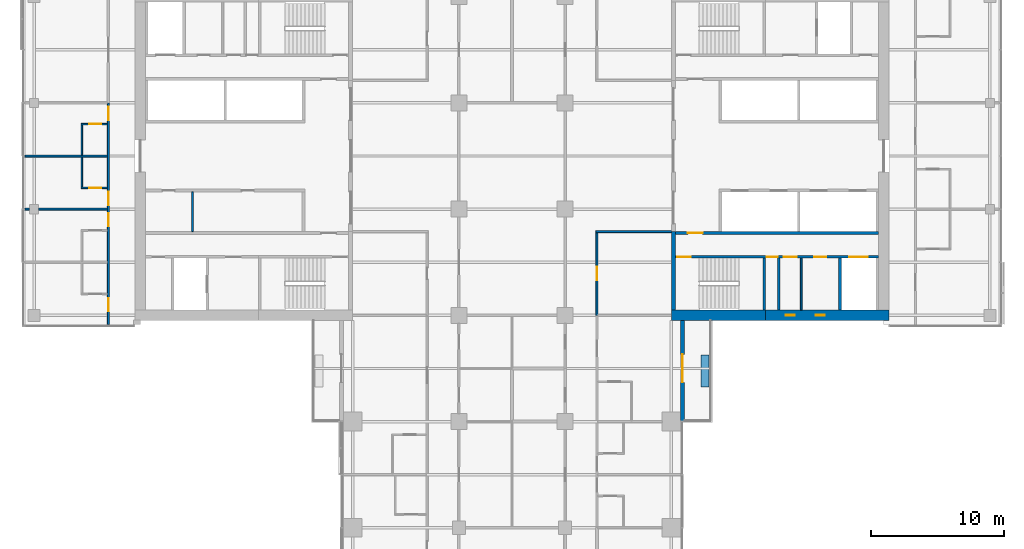
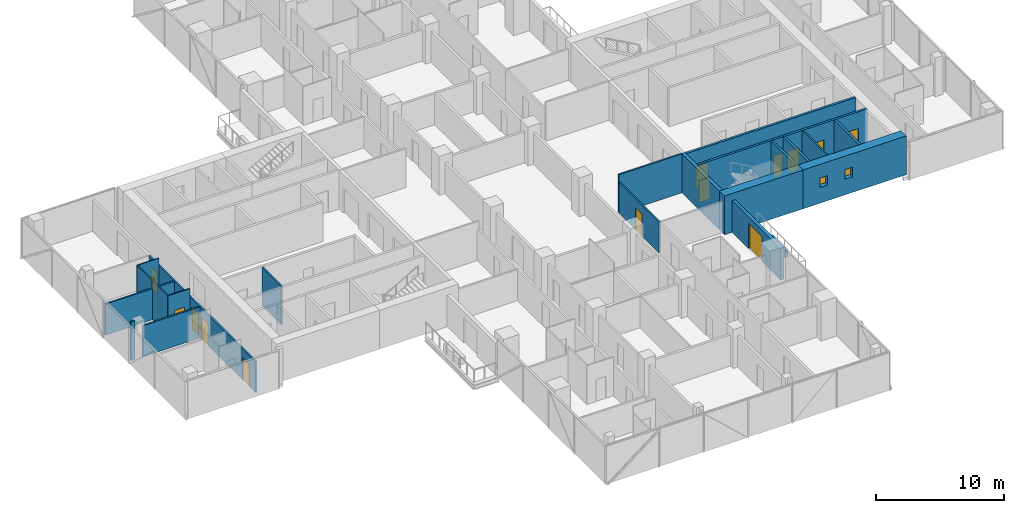
# One storey, part 17 of 27: 23 walls, 14 doors, 2 windows, 16 openings.
"""IFC4 building model written with IfcOpenShell, lengths in metres."""

from ifc_helpers import new_model, si_unit, direction, frame, frame_2d, origin, place, context, subcontext, project, spatial, rectangle, extrude, material, layer, layer_set, constituent, constituent_set, type_object, element, fill, save


model = new_model("IFC4")

# Units and contexts
model_context = context("Model", 3, precision=1e-05, world=origin(), true_north=direction((0.0, 1.0)))
body_context = subcontext(model_context, "Body", "Model", "MODEL_VIEW")
ifc_project = project(units=[si_unit("LENGTHUNIT", "METRE"), si_unit("AREAUNIT", "SQUARE_METRE"), si_unit("VOLUMEUNIT", "CUBIC_METRE"), si_unit("PLANEANGLEUNIT", "RADIAN"), si_unit("MASSUNIT", "GRAM", prefix="KILO")], contexts=[model_context])

# Site, building, storey
site_placement = place(None, origin())
site = spatial("IfcSite", under=ifc_project, at=site_placement, CompositionType="ELEMENT")
building_placement = place(site_placement, origin())
building = spatial("IfcBuilding", under=site, at=building_placement, Name="Crosswind Convention Tower", CompositionType="ELEMENT")
storey_placement = place(building_placement, frame((0.0, 0.0, 83.10009765625)))
storey = spatial("IfcBuildingStorey", under=building, at=storey_placement, Name="L15", CompositionType="ELEMENT", Elevation=83.10009765625)

# Walls
ifc_material_1 = material(Name="Concrete blockwork", Category="masonry")
ifc_layer_1 = layer(ifc_material_1, 0.199951171875)
ifc_layer_set_1 = layer_set([ifc_layer_1], Name="Blockwork partition wall 200")
wall_type_1 = type_object("IfcWallType", Name="Blockwork partition wall 200", PredefinedType="PARTITIONING", material=ifc_layer_set_1)
wall_1_placement = place(storey_placement, frame((145.10009765625, 88.39990234375, 0.0), z_axis=(0.0, 0.0, 1.0), x_axis=(0.0, 1.0, 0.0)))
element("IfcWall", 1, at=wall_1_placement, inside=storey, type_object=wall_type_1, Name="Wall MRSE E L15", PredefinedType="PARTITIONING", context=body_context, shape_type="SweptSolid", body=[
    extrude(rectangle(XDim=3.900146484375, YDim=0.199951171875, at=frame_2d((1.9501953125, 0.0))), origin(), (0.0, 0.0, 1.0), 3.699951171875),
])
ifc_material_2 = material(Name="Plasterboard partition", Category="gypsum")
ifc_layer_2 = layer(ifc_material_2, 0.14990234375)
ifc_layer_set_2 = layer_set([ifc_layer_2], Name="CORRIDOR WALL 150")
wall_type_2 = type_object("IfcWallType", Name="CORRIDOR WALL 150", PredefinedType="PARTITIONING", material=ifc_layer_set_2)
wall_2_placement = place(storey_placement, frame((131.324951171875, 94.300048828125, 0.0), z_axis=(0.0, 0.0, 1.0), x_axis=(1.0, 0.0, 0.0)))
element("IfcWall", 2, at=wall_2_placement, inside=storey, type_object=wall_type_2, Name="Corridor Wall 24", PredefinedType="PARTITIONING", context=body_context, shape_type="SweptSolid", body=[
    extrude(rectangle(XDim=5.675048828125, YDim=0.14990234375, at=frame_2d((2.83740234375, 0.0))), origin(), (0.0, 0.0, 1.0), 3.699951171875),
])

# Wall, opening, door
wall_3_placement = place(storey_placement, frame((131.39990234375, 88.0, 0.0), z_axis=(0.0, 0.0, 1.0), x_axis=(0.0, 1.0, 0.0)))
wall_3 = element("IfcWall", 3, at=wall_3_placement, inside=storey, type_object=wall_type_2, Name="Corridor Wall 110", PredefinedType="PARTITIONING", context=body_context, shape_type="SweptSolid", body=[
    extrude(rectangle(XDim=6.22509765625, YDim=0.14990234375, at=frame_2d((3.112548828125, 0.0))), origin(), (0.0, 0.0, 1.0), 2.956298828125),
])
opening_1_placement = place(wall_3_placement, frame((2.64990234375, 0.0, 0.0)))
opening_1 = element("IfcOpeningElement", 4, at=opening_1_placement, cuts=wall_3, Name="Opening 15.002", PredefinedType="OPENING", context=body_context, shape_type="SweptSolid", body=[
    extrude(rectangle(XDim=1.0, YDim=2.10009765625, at=frame_2d((0.5, 1.050048828125))), frame((0.0, 0.0849609375, 0.0), z_axis=(0.0, -1.0, 0.0), x_axis=(1.0, 0.0, 0.0)), (0.0, 0.0, 1.0), 0.169921875),
])
ifc_material_3 = material(Name="Timber fire door", Category="wood")
door_type_1 = type_object("IfcDoorType", Name="SERVICE ROOM DOOR 1000X2100", OperationType="NOTDEFINED", PredefinedType="DOOR", material=ifc_material_3)
door_1_placement = place(opening_1_placement, frame((1.0, 0.0, 0.0), z_axis=(0.0, 0.0, 1.0), x_axis=(-1.0, 0.0, 0.0)))
door_1 = element("IfcDoor", 5, at=door_1_placement, inside=storey, type_object=door_type_1, Name="Door 15.002", ObjectType="D3", OperationType="SINGLE_SWING_LEFT", OverallHeight=2.10009765625, OverallWidth=1.0, PredefinedType="DOOR", context=body_context, shape_type="SweptSolid", body=[
    extrude(rectangle(XDim=1.0, YDim=2.10009765625, at=frame_2d((0.5, 1.050048828125))), frame((0.0, 0.02490234375, 0.0), z_axis=(0.0, -1.0, 0.0), x_axis=(1.0, 0.0, 0.0)), (0.0, 0.0, 1.0), 0.050048828125),
])
fill(opening_1, door_1)

# Wall
ifc_material_4 = material(Name="Concrete C50/60", Category="concrete")
ifc_layer_3 = layer(ifc_material_4, 0.300048828125)
ifc_layer_set_3 = layer_set([ifc_layer_3], Name="Concrete C50/60")
wall_type_3 = type_object("IfcWallType", Name="Concrete inner core wall 300", PredefinedType="SHEAR", material=ifc_layer_set_3)
wall_4_placement = place(storey_placement, frame((137.14990234375, 88.39990234375, 0.0), z_axis=(0.0, 0.0, 1.0), x_axis=(0.0, 1.0, 0.0)))
element("IfcWall", 6, at=wall_4_placement, inside=storey, type_object=wall_type_3, Name="Wall EM E L15", PredefinedType="SHEAR", context=body_context, shape_type="SweptSolid", body=[
    extrude(rectangle(XDim=5.900146484375, YDim=0.300048828125, at=frame_2d((2.9501953125, 0.0))), origin(), (0.0, 0.0, 1.0), 3.699951171875),
])

# Wall, opening, door
ifc_layer_4 = layer(ifc_material_4, 0.199951171875)
ifc_layer_set_4 = layer_set([ifc_layer_4], Name="Concrete C50/60")
wall_type_4 = type_object("IfcWallType", Name="Concrete shaft and stair wall 200", PredefinedType="SHEAR", material=ifc_layer_set_4)
wall_5_placement = place(storey_placement, frame((137.300048828125, 94.199951171875, 0.0), z_axis=(0.0, 0.0, 1.0), x_axis=(1.0, 0.0, 0.0)))
wall_5 = element("IfcWall", 7, at=wall_5_placement, inside=storey, type_object=wall_type_4, Name="Wall HM E L15", PredefinedType="SHEAR", context=body_context, shape_type="SweptSolid", body=[
    extrude(rectangle(XDim=15.300048828125, YDim=0.199951171875, at=frame_2d((7.64990234375, 0.0))), origin(), (0.0, 0.0, 1.0), 3.699951171875),
])
opening_2_placement = place(wall_5_placement, frame((0.949951171875, 0.0, 0.0)))
opening_2 = element("IfcOpeningElement", 8, at=opening_2_placement, cuts=wall_5, Name="Opening D104", PredefinedType="OPENING", context=body_context, shape_type="SweptSolid", body=[
    extrude(rectangle(XDim=1.10009765625, YDim=2.10009765625, at=frame_2d((0.550048828125, 1.050048828125))), frame((0.0, 0.10986328125, 0.0), z_axis=(0.0, -1.0, 0.0), x_axis=(1.0, 0.0, 0.0)), (0.0, 0.0, 1.0), 0.219970703125),
])
ifc_material_5 = material(Name="Steel fire door", Category="steel")
door_type_2 = type_object("IfcDoorType", Name="Fire-rated single door 1100x2100", OperationType="NOTDEFINED", PredefinedType="DOOR", material=ifc_material_5)
door_2_placement = place(opening_2_placement, origin())
door_2 = element("IfcDoor", 9, at=door_2_placement, inside=storey, type_object=door_type_2, Name="Corridor door L15", ObjectType="D104", OperationType="SINGLE_SWING_LEFT", OverallHeight=2.10009765625, OverallWidth=1.10009765625, PredefinedType="DOOR", context=body_context, shape_type="SweptSolid", body=[
    extrude(rectangle(XDim=1.10009765625, YDim=2.10009765625, at=frame_2d((0.550048828125, 1.050048828125))), frame((0.0, 0.02490234375, 0.0), z_axis=(0.0, -1.0, 0.0), x_axis=(1.0, 0.0, 0.0)), (0.0, 0.0, 1.0), 0.050048828125),
])
fill(opening_2, door_2)

# Walls
for number, where, z_axis, x_axis, name in (
    (10, (144.0, 88.39990234375, 0.0), (0.0, 0.0, 1.0), (0.0, 1.0, 0.0), "Wall MSE E L15"),
    (11, (149.699951171875, 88.39990234375, 0.0), (0.0, 0.0, 1.0), (0.0, 1.0, 0.0), "Wall MFSW E L15"),
):
    element("IfcWall", number, at=place(storey_placement, frame(where, z_axis=z_axis, x_axis=x_axis)), inside=storey, type_object=wall_type_4, Name=name, PredefinedType="SHEAR", context=body_context, shape_type="SweptSolid", body=[
        extrude(rectangle(XDim=3.900146484375, YDim=0.199951171875, at=frame_2d((1.9501953125, 0.0))), origin(), (0.0, 0.0, 1.0), 3.699951171875),
    ])

# Wall, opening, door
wall_6_placement = place(storey_placement, frame((137.300048828125, 92.39990234375, 0.0), z_axis=(0.0, 0.0, 1.0), x_axis=(1.0, 0.0, 0.0)))
wall_6 = element("IfcWall", 12, at=wall_6_placement, inside=storey, type_object=wall_type_4, Name="Wall MCW E L15", PredefinedType="SHEAR", context=body_context, shape_type="SweptSolid", body=[
    extrude(rectangle(XDim=6.800048828125, YDim=0.199951171875, at=frame_2d((3.39990234375, 0.0))), origin(), (0.0, 0.0, 1.0), 3.699951171875),
])
opening_3_placement = place(wall_6_placement, frame((0.14990234375, 0.0, 0.0)))
opening_3 = element("IfcOpeningElement", 13, at=opening_3_placement, cuts=wall_6, Name="Opening D103", PredefinedType="OPENING", context=body_context, shape_type="SweptSolid", body=[
    extrude(rectangle(XDim=1.0, YDim=2.10009765625, at=frame_2d((0.5, 1.050048828125))), frame((0.0, 0.10986328125, 0.0), z_axis=(0.0, -1.0, 0.0), x_axis=(1.0, 0.0, 0.0)), (0.0, 0.0, 1.0), 0.219970703125),
])
door_type_3 = type_object("IfcDoorType", Name="Fire-rated single door 1000x2100", OperationType="NOTDEFINED", PredefinedType="DOOR", material=ifc_material_5)
door_3_placement = place(opening_3_placement, frame((1.0, 0.0, 0.0), z_axis=(0.0, 0.0, 1.0), x_axis=(-1.0, 0.0, 0.0)))
door_3 = element("IfcDoor", 14, at=door_3_placement, inside=storey, type_object=door_type_3, Name="Stair ST2 door L15", ObjectType="D103", OperationType="SINGLE_SWING_RIGHT", OverallHeight=2.10009765625, OverallWidth=1.0, PredefinedType="DOOR", context=body_context, shape_type="SweptSolid", body=[
    extrude(rectangle(XDim=1.0, YDim=2.10009765625, at=frame_2d((0.5, 1.050048828125))), frame((0.0, 0.02490234375, 0.0), z_axis=(0.0, -1.0, 0.0), x_axis=(1.0, 0.0, 0.0)), (0.0, 0.0, 1.0), 0.050048828125),
])
fill(opening_3, door_3)

# Wall, openings, doors
wall_7_placement = place(storey_placement, frame((144.10009765625, 92.39990234375, 0.0), z_axis=(0.0, 0.0, 1.0), x_axis=(1.0, 0.0, 0.0)))
wall_7 = element("IfcWall", 15, at=wall_7_placement, inside=storey, type_object=wall_type_4, Name="Wall MCX E L15", PredefinedType="SHEAR", context=body_context, shape_type="SweptSolid", body=[
    extrude(rectangle(XDim=8.5, YDim=0.199951171875, at=frame_2d((4.25, 0.0))), origin(), (0.0, 0.0, 1.0), 3.699951171875),
])
opening_4_placement = place(wall_7_placement, frame((0.10009765625, 0.0, 0.0)))
opening_4 = element("IfcOpeningElement", 16, at=opening_4_placement, cuts=wall_7, Name="Opening D105", PredefinedType="OPENING", context=body_context, shape_type="SweptSolid", body=[
    extrude(rectangle(XDim=0.800048828125, YDim=2.10009765625, at=frame_2d((0.39990234375, 1.050048828125))), frame((0.0, 0.10986328125, 0.0), z_axis=(0.0, -1.0, 0.0), x_axis=(1.0, 0.0, 0.0)), (0.0, 0.0, 1.0), 0.219970703125),
])
opening_5_placement = place(wall_7_placement, frame((1.36083984375, 0.0, 0.0)))
opening_5 = element("IfcOpeningElement", 17, at=opening_5_placement, cuts=wall_7, Name="Opening D103", PredefinedType="OPENING", context=body_context, shape_type="SweptSolid", body=[
    extrude(rectangle(XDim=1.0, YDim=2.10009765625, at=frame_2d((0.5, 1.050048828125))), frame((0.0, 0.10986328125, 0.0), z_axis=(0.0, -1.0, 0.0), x_axis=(1.0, 0.0, 0.0)), (0.0, 0.0, 1.0), 0.219970703125),
])
opening_6_placement = place(wall_7_placement, frame((3.67333984375, 0.0, 0.0)))
opening_6 = element("IfcOpeningElement", 18, at=opening_6_placement, cuts=wall_7, Name="Opening D106", PredefinedType="OPENING", context=body_context, shape_type="SweptSolid", body=[
    extrude(rectangle(XDim=0.89990234375, YDim=2.10009765625, at=frame_2d((0.449951171875, 1.050048828125))), frame((0.0, 0.10986328125, 0.0), z_axis=(0.0, -1.0, 0.0), x_axis=(1.0, 0.0, 0.0)), (0.0, 0.0, 1.0), 0.219970703125),
])
opening_7_placement = place(wall_7_placement, frame((6.300048828125, 0.0, 0.0)))
opening_7 = element("IfcOpeningElement", 19, at=opening_7_placement, cuts=wall_7, Name="Opening LD2", PredefinedType="OPENING", context=body_context, shape_type="SweptSolid", body=[
    extrude(rectangle(XDim=1.39990234375, YDim=2.10009765625, at=frame_2d((0.699951171875, 1.050048828125))), frame((0.0, 0.10986328125, 0.0), z_axis=(0.0, -1.0, 0.0), x_axis=(1.0, 0.0, 0.0)), (0.0, 0.0, 1.0), 0.219970703125),
])
door_4_placement = place(opening_5_placement, frame((1.0, 0.0, 0.0), z_axis=(0.0, 0.0, 1.0), x_axis=(-1.0, 0.0, 0.0)))
door_4 = element("IfcDoor", 20, at=door_4_placement, inside=storey, type_object=door_type_3, Name="Door to accessible wc L15", ObjectType="D103", OperationType="SINGLE_SWING_LEFT", OverallHeight=2.10009765625, OverallWidth=1.0, PredefinedType="DOOR", context=body_context, shape_type="SweptSolid", body=[
    extrude(rectangle(XDim=1.0, YDim=2.10009765625, at=frame_2d((0.5, 1.050048828125))), frame((0.0, 0.02490234375, 0.0), z_axis=(0.0, -1.0, 0.0), x_axis=(1.0, 0.0, 0.0)), (0.0, 0.0, 1.0), 0.050048828125),
])
fill(opening_5, door_4)
ifc_material_6 = material(Name="Stainless steel", Category="steel")
door_type_4 = type_object("IfcDoorType", Name="Lift landing door 1400x2100", OperationType="DOUBLE_DOOR_SLIDING", PredefinedType="DOOR", material=ifc_material_6)
door_5_placement = place(opening_7_placement, origin())
door_5 = element("IfcDoor", 21, at=door_5_placement, inside=storey, type_object=door_type_4, Name="Landing door SV1 L15", ObjectType="LD2", OperationType="DOUBLE_DOOR_SLIDING", OverallHeight=2.10009765625, OverallWidth=1.39990234375, PredefinedType="DOOR", context=body_context, shape_type="SweptSolid", body=[
    extrude(rectangle(XDim=1.39990234375, YDim=2.10009765625, at=frame_2d((0.699951171875, 1.050048828125))), frame((0.0, 0.02490234375, 0.0), z_axis=(0.0, -1.0, 0.0), x_axis=(1.0, 0.0, 0.0)), (0.0, 0.0, 1.0), 0.050048828125),
])
fill(opening_7, door_5)
door_type_5 = type_object("IfcDoorType", Name="Riser access door 800x2100", OperationType="NOTDEFINED", PredefinedType="DOOR", material=ifc_material_5)
door_6_placement = place(opening_4_placement, frame((0.800048828125, 0.0, 0.0), z_axis=(0.0, 0.0, 1.0), x_axis=(-1.0, 0.0, 0.0)))
door_6 = element("IfcDoor", 22, at=door_6_placement, inside=storey, type_object=door_type_5, Name="Riser door L15", ObjectType="D105", OperationType="SINGLE_SWING_LEFT", OverallHeight=2.10009765625, OverallWidth=0.800048828125, PredefinedType="DOOR", context=body_context, shape_type="SweptSolid", body=[
    extrude(rectangle(XDim=0.800048828125, YDim=2.10009765625, at=frame_2d((0.39990234375, 1.050048828125))), frame((0.0, 0.02490234375, 0.0), z_axis=(0.0, -1.0, 0.0), x_axis=(1.0, 0.0, 0.0)), (0.0, 0.0, 1.0), 0.050048828125),
])
fill(opening_4, door_6)
ifc_material_7 = material(Name="Timber door", Category="wood")
door_type_6 = type_object("IfcDoorType", Name="Single leaf door 900x2100", OperationType="NOTDEFINED", PredefinedType="DOOR", material=ifc_material_7)
door_7_placement = place(opening_6_placement, frame((0.89990234375, 0.0, 0.0), z_axis=(0.0, 0.0, 1.0), x_axis=(-1.0, 0.0, 0.0)))
door_7 = element("IfcDoor", 23, at=door_7_placement, inside=storey, type_object=door_type_6, Name="Door to wc L15", ObjectType="D106", OperationType="SINGLE_SWING_LEFT", OverallHeight=2.10009765625, OverallWidth=0.89990234375, PredefinedType="DOOR", context=body_context, shape_type="SweptSolid", body=[
    extrude(rectangle(XDim=0.89990234375, YDim=2.10009765625, at=frame_2d((0.449951171875, 1.050048828125))), frame((0.0, 0.02490234375, 0.0), z_axis=(0.0, -1.0, 0.0), x_axis=(1.0, 0.0, 0.0)), (0.0, 0.0, 1.0), 0.050048828125),
])
fill(opening_6, door_7)

# Walls
ifc_material_8 = material(Name="Gypsum plasterboard partition", Category="gypsum")
ifc_layer_5 = layer(ifc_material_8, 0.125)
ifc_layer_set_5 = layer_set([ifc_layer_5], Name="Drywall partition wall 125")
wall_type_5 = type_object("IfcWallType", Name="Drywall partition wall 125", PredefinedType="PARTITIONING", material=ifc_layer_set_5)
wall_8_placement = place(storey_placement, frame((146.783935546875, 88.39990234375, 0.0), z_axis=(0.0, 0.0, 1.0), x_axis=(0.0, 1.0, 0.0)))
element("IfcWall", 24, at=wall_8_placement, inside=storey, type_object=wall_type_5, Name="Wall MWP1 E L15", PredefinedType="PARTITIONING", context=body_context, shape_type="SweptSolid", body=[
    extrude(rectangle(XDim=3.900146484375, YDim=0.125, at=frame_2d((1.9501953125, 0.0))), origin(), (0.0, 0.0, 1.0), 3.699951171875),
])
wall_9_placement = place(storey_placement, frame((100.93994140625, 97.300048828125, 0.0), z_axis=(0.0, 0.0, 1.0), x_axis=(0.0, -1.0, 0.0)))
element("IfcWall", 25, at=wall_9_placement, inside=storey, type_object=wall_type_5, Name="Wall RPP1 W L15", PredefinedType="PARTITIONING", context=body_context, shape_type="SweptSolid", body=[
    extrude(rectangle(XDim=3.0, YDim=0.125, at=frame_2d((1.5, 0.0))), origin(), (0.0, 0.0, 1.0), 3.699951171875),
])
ifc_material_9 = material(Name="Acoustic plasterboard partition", Category="gypsum")
ifc_layer_6 = layer(ifc_material_9, 0.14990234375)
ifc_layer_set_6 = layer_set([ifc_layer_6], Name="GUEST ROOM WALL 150")
wall_type_6 = type_object("IfcWallType", Name="GUEST ROOM WALL 150", PredefinedType="PARTITIONING", material=ifc_layer_set_6)
wall_10_placement = place(storey_placement, frame((88.300048828125, 96.0, 0.0), z_axis=(0.0, 0.0, 1.0), x_axis=(1.0, 0.0, 0.0)))
element("IfcWall", 26, at=wall_10_placement, inside=storey, type_object=wall_type_6, Name="Guest Room Wall 26", PredefinedType="PARTITIONING", context=body_context, shape_type="SweptSolid", body=[
    extrude(rectangle(XDim=0.349853515625, YDim=0.14990234375, at=frame_2d((0.1748046875, 0.0))), origin(), (0.0, 0.0, 1.0), 3.699951171875),
])
wall_11_placement = place(storey_placement, frame((89.35009765625, 96.0, 0.0), z_axis=(0.0, 0.0, 1.0), x_axis=(1.0, 0.0, 0.0)))
element("IfcWall", 27, at=wall_11_placement, inside=storey, type_object=wall_type_6, Name="Guest Room Wall 27", PredefinedType="PARTITIONING", context=body_context, shape_type="SweptSolid", body=[
    extrude(rectangle(XDim=5.1748046875, YDim=0.14990234375, at=frame_2d((2.58740234375, 0.0))), origin(), (0.0, 0.0, 1.0), 2.956298828125),
])
wall_12_placement = place(storey_placement, frame((88.300048828125, 100.0, 0.0), z_axis=(0.0, 0.0, 1.0), x_axis=(1.0, 0.0, 0.0)))
element("IfcWall", 28, at=wall_12_placement, inside=storey, type_object=wall_type_6, Name="Guest Room Wall 32", PredefinedType="PARTITIONING", context=body_context, shape_type="SweptSolid", body=[
    extrude(rectangle(XDim=6.224853515625, YDim=0.14990234375, at=frame_2d((3.1123046875, 0.0))), origin(), (0.0, 0.0, 1.0), 2.962646484375),
])

# Wall, openings, doors
wall_13_placement = place(storey_placement, frame((94.60009765625, 87.300048828125, 0.0), z_axis=(0.0, 0.0, 1.0), x_axis=(0.0, 1.0, 0.0)))
wall_13 = element("IfcWall", 29, at=wall_13_placement, inside=storey, type_object=wall_type_6, Name="Guest Room Wall 65", PredefinedType="PARTITIONING", context=body_context, shape_type="SweptSolid", body=[
    extrude(rectangle(XDim=16.699951171875, YDim=0.14990234375, at=frame_2d((8.35009765625, 0.0))), origin(), (0.0, 0.0, 1.0), 2.956298828125),
])
opening_8_placement = place(wall_13_placement, frame((1.0, 0.0, 0.0)))
opening_8 = element("IfcOpeningElement", 30, at=opening_8_placement, cuts=wall_13, Name="Opening 15.039", PredefinedType="OPENING", context=body_context, shape_type="SweptSolid", body=[
    extrude(rectangle(XDim=1.0, YDim=2.10009765625, at=frame_2d((0.5, 1.050048828125))), frame((0.0, 0.0849609375, 0.0), z_axis=(0.0, -1.0, 0.0), x_axis=(1.0, 0.0, 0.0)), (0.0, 0.0, 1.0), 0.169921875),
])
opening_9_placement = place(wall_13_placement, frame((7.39990234375, 0.0, 0.0)))
opening_9 = element("IfcOpeningElement", 31, at=opening_9_placement, cuts=wall_13, Name="Opening 15.041", PredefinedType="OPENING", context=body_context, shape_type="SweptSolid", body=[
    extrude(rectangle(XDim=1.0, YDim=2.10009765625, at=frame_2d((0.5, 1.050048828125))), frame((0.0, 0.0849609375, 0.0), z_axis=(0.0, -1.0, 0.0), x_axis=(1.0, 0.0, 0.0)), (0.0, 0.0, 1.0), 0.169921875),
])
opening_10_placement = place(wall_13_placement, frame((9.0, 0.0, 0.0)))
opening_10 = element("IfcOpeningElement", 32, at=opening_10_placement, cuts=wall_13, Name="Opening 15.043", PredefinedType="OPENING", context=body_context, shape_type="SweptSolid", body=[
    extrude(rectangle(XDim=1.0, YDim=2.10009765625, at=frame_2d((0.5, 1.050048828125))), frame((0.0, 0.0849609375, 0.0), z_axis=(0.0, -1.0, 0.0), x_axis=(1.0, 0.0, 0.0)), (0.0, 0.0, 1.0), 0.169921875),
])
opening_11_placement = place(wall_13_placement, frame((15.39990234375, 0.0, 0.0)))
opening_11 = element("IfcOpeningElement", 33, at=opening_11_placement, cuts=wall_13, Name="Opening 15.045", PredefinedType="OPENING", context=body_context, shape_type="SweptSolid", body=[
    extrude(rectangle(XDim=1.0, YDim=2.10009765625, at=frame_2d((0.5, 1.050048828125))), frame((0.0, 0.0849609375, 0.0), z_axis=(0.0, -1.0, 0.0), x_axis=(1.0, 0.0, 0.0)), (0.0, 0.0, 1.0), 0.169921875),
])
door_type_7 = type_object("IfcDoorType", Name="GUEST ROOM DOOR 1000X2100", OperationType="NOTDEFINED", PredefinedType="DOOR", material=ifc_material_3)
door_8_placement = place(opening_8_placement, origin())
door_8 = element("IfcDoor", 34, at=door_8_placement, inside=storey, type_object=door_type_7, Name="Door 15.039", ObjectType="D1", OperationType="SINGLE_SWING_RIGHT", OverallHeight=2.10009765625, OverallWidth=1.0, PredefinedType="DOOR", context=body_context, shape_type="SweptSolid", body=[
    extrude(rectangle(XDim=1.0, YDim=2.10009765625, at=frame_2d((0.5, 1.050048828125))), frame((0.0, 0.02490234375, 0.0), z_axis=(0.0, -1.0, 0.0), x_axis=(1.0, 0.0, 0.0)), (0.0, 0.0, 1.0), 0.050048828125),
])
fill(opening_8, door_8)
door_9_placement = place(opening_9_placement, origin())
door_9 = element("IfcDoor", 35, at=door_9_placement, inside=storey, type_object=door_type_7, Name="Door 15.041", ObjectType="D1", OperationType="SINGLE_SWING_RIGHT", OverallHeight=2.10009765625, OverallWidth=1.0, PredefinedType="DOOR", context=body_context, shape_type="SweptSolid", body=[
    extrude(rectangle(XDim=1.0, YDim=2.10009765625, at=frame_2d((0.5, 1.050048828125))), frame((0.0, 0.02490234375, 0.0), z_axis=(0.0, -1.0, 0.0), x_axis=(1.0, 0.0, 0.0)), (0.0, 0.0, 1.0), 0.050048828125),
])
fill(opening_9, door_9)
door_10_placement = place(opening_10_placement, origin())
door_10 = element("IfcDoor", 36, at=door_10_placement, inside=storey, type_object=door_type_7, Name="Door 15.043", ObjectType="D1", OperationType="SINGLE_SWING_RIGHT", OverallHeight=2.10009765625, OverallWidth=1.0, PredefinedType="DOOR", context=body_context, shape_type="SweptSolid", body=[
    extrude(rectangle(XDim=1.0, YDim=2.10009765625, at=frame_2d((0.5, 1.050048828125))), frame((0.0, 0.02490234375, 0.0), z_axis=(0.0, -1.0, 0.0), x_axis=(1.0, 0.0, 0.0)), (0.0, 0.0, 1.0), 0.050048828125),
])
fill(opening_10, door_10)
door_11_placement = place(opening_11_placement, origin())
door_11 = element("IfcDoor", 37, at=door_11_placement, inside=storey, type_object=door_type_7, Name="Door 15.045", ObjectType="D1", OperationType="SINGLE_SWING_RIGHT", OverallHeight=2.10009765625, OverallWidth=1.0, PredefinedType="DOOR", context=body_context, shape_type="SweptSolid", body=[
    extrude(rectangle(XDim=1.0, YDim=2.10009765625, at=frame_2d((0.5, 1.050048828125))), frame((0.0, 0.02490234375, 0.0), z_axis=(0.0, -1.0, 0.0), x_axis=(1.0, 0.0, 0.0)), (0.0, 0.0, 1.0), 0.050048828125),
])
fill(opening_11, door_11)

# Wall
ifc_material_10 = material(Name="Concrete C30/37", Category="concrete")
ifc_layer_7 = layer(ifc_material_10, 0.60009765625)
ifc_layer_set_7 = layer_set([ifc_layer_7], Name="Concrete C30/37")
wall_type_7 = type_object("IfcWallType", Name="PLANTER BOX WALL 600", PredefinedType="SOLIDWALL", material=ifc_layer_set_7)
wall_14_placement = place(storey_placement, frame((139.550048828125, 82.60009765625, 0.0), z_axis=(0.0, 0.0, 1.0), x_axis=(0.0, 1.0, 0.0)))
element("IfcWall", 38, at=wall_14_placement, inside=storey, type_object=wall_type_7, Name="PLANTER L15 S-E.1-3", PredefinedType="SOLIDWALL", context=body_context, shape_type="SweptSolid", body=[
    extrude(rectangle(XDim=2.39990234375, YDim=0.60009765625, at=frame_2d((1.199951171875, 0.0))), origin(), (0.0, 0.0, 1.0), 0.599853515625),
])

# Wall, opening, door
ifc_material_11 = material(Name="Terracotta rainscreen", Category="ceramic")
ifc_layer_8 = layer(ifc_material_11, 0.02001953125)
ifc_material_12 = material(Name="Mineral wool insulation", Category="insulation")
ifc_layer_9 = layer(ifc_material_12, 0.10009765625)
ifc_layer_10 = layer(ifc_material_1, 0.179931640625)
ifc_layer_set_8 = layer_set([ifc_layer_8, ifc_layer_9, ifc_layer_10], Name="TERRACOTTA INFILL WALL 300")
wall_type_8 = type_object("IfcWallType", Name="TERRACOTTA INFILL WALL 300", PredefinedType="SOLIDWALL", material=ifc_layer_set_8)
wall_15_placement = place(storey_placement, frame((137.85009765625, 80.032470703125, 0.0), z_axis=(0.0, 0.0, 1.0), x_axis=(0.0, 1.0, 0.0)))
wall_15 = element("IfcWall", 39, at=wall_15_placement, inside=storey, type_object=wall_type_8, Name="Notch front wall L15 S-E.1-3", PredefinedType="SOLIDWALL", context=body_context, shape_type="SweptSolid", body=[
    extrude(rectangle(XDim=7.567626953125, YDim=0.300048828125, at=frame_2d((3.78369140625, 0.0))), origin(), (0.0, 0.0, 1.0), 3.013427734375),
])
opening_12_placement = place(wall_15_placement, frame((2.91748046875, 0.0, 0.0)))
opening_12 = element("IfcOpeningElement", 40, at=opening_12_placement, cuts=wall_15, Name="Opening D141", PredefinedType="OPENING", context=body_context, shape_type="SweptSolid", body=[
    extrude(rectangle(XDim=2.10009765625, YDim=2.39990234375, at=frame_2d((1.050048828125, 1.199951171875))), frame((0.0, 0.159912109375, 0.0), z_axis=(0.0, -1.0, 0.0), x_axis=(1.0, 0.0, 0.0)), (0.0, 0.0, 1.0), 0.320068359375),
])
ifc_material_13 = material(Name="Aluminium glazed door", Category="aluminium")
door_type_8 = type_object("IfcDoorType", Name="BALCONY SLIDING DOOR 2100X2400", OperationType="SLIDING_TO_LEFT", PredefinedType="DOOR", material=ifc_material_13)
door_12_placement = place(opening_12_placement, frame((2.10009765625, 0.0, 0.0), z_axis=(0.0, 0.0, 1.0), x_axis=(-1.0, 0.0, 0.0)))
door_12 = element("IfcDoor", 41, at=door_12_placement, inside=storey, type_object=door_type_8, Name="D141 balcony door L15 S-E.1-3", ObjectType="D141", OperationType="SLIDING_TO_LEFT", OverallHeight=2.39990234375, OverallWidth=2.10009765625, PredefinedType="DOOR", context=body_context, shape_type="SweptSolid", body=[
    extrude(rectangle(XDim=2.10009765625, YDim=2.39990234375, at=frame_2d((1.050048828125, 1.199951171875))), frame((0.0, 0.02490234375, 0.0), z_axis=(0.0, -1.0, 0.0), x_axis=(1.0, 0.0, 0.0)), (0.0, 0.0, 1.0), 0.050048828125),
])
fill(opening_12, door_12)

# Wall
ifc_material_14 = material(Name="Concrete C60/75", Category="concrete")
ifc_constituent_1 = constituent(ifc_material_14, Name="Structure")
ifc_constituent_2 = constituent(ifc_material_11, Name="Facing")
ifc_constituent_set = constituent_set(constituents=[ifc_constituent_1, ifc_constituent_2], Name="Concrete C60/75, Terracotta rainscreen")
wall_type_9 = type_object("IfcWallType", Name="Terracotta rainscreen on concrete core wall 800", PredefinedType="SHEAR", material=ifc_constituent_set)
wall_16_placement = place(storey_placement, frame((137.0, 88.0, 0.0), z_axis=(0.0, 0.0, 1.0), x_axis=(1.0, 0.0, 0.0)))
element("IfcWall", 42, at=wall_16_placement, inside=storey, type_object=wall_type_9, Name="Wall S1 E L15", PredefinedType="SHEAR", context=body_context, shape_type="SweptSolid", body=[
    extrude(rectangle(XDim=7.10009765625, YDim=0.800048828125, at=frame_2d((3.550048828125, 0.0))), origin(), (0.0, 0.0, 1.0), 3.699951171875),
])

# Wall, openings, windows
wall_17_placement = place(storey_placement, frame((144.10009765625, 88.0, 0.0), z_axis=(0.0, 0.0, 1.0), x_axis=(1.0, 0.0, 0.0)))
wall_17 = element("IfcWall", 43, at=wall_17_placement, inside=storey, type_object=wall_type_9, Name="Wall S2 E L15", PredefinedType="SHEAR", context=body_context, shape_type="SweptSolid", body=[
    extrude(rectangle(XDim=9.2998046875, YDim=0.800048828125, at=frame_2d((4.64990234375, 0.0))), origin(), (0.0, 0.0, 1.0), 3.699951171875),
])
opening_13_placement = place(wall_17_placement, frame((1.5107421875, 0.0, 1.5)))
opening_13 = element("IfcOpeningElement", 44, at=opening_13_placement, cuts=wall_17, Name="Opening W2", PredefinedType="OPENING", context=body_context, shape_type="SweptSolid", body=[
    extrude(rectangle(XDim=0.699951171875, YDim=0.89990234375, at=frame_2d((0.35009765625, 0.449951171875))), frame((0.0, 0.409912109375, 0.0), z_axis=(0.0, -1.0, 0.0), x_axis=(1.0, 0.0, 0.0)), (0.0, 0.0, 1.0), 0.820068359375),
])
opening_14_placement = place(wall_17_placement, frame((3.773193359375, 0.0, 1.5)))
opening_14 = element("IfcOpeningElement", 45, at=opening_14_placement, cuts=wall_17, Name="Opening W2", PredefinedType="OPENING", context=body_context, shape_type="SweptSolid", body=[
    extrude(rectangle(XDim=0.699951171875, YDim=0.89990234375, at=frame_2d((0.35009765625, 0.449951171875))), frame((0.0, 0.409912109375, 0.0), z_axis=(0.0, -1.0, 0.0), x_axis=(1.0, 0.0, 0.0)), (0.0, 0.0, 1.0), 0.820068359375),
])
ifc_material_15 = material(Name="Obscure glass in aluminium frame", Category="aluminium")
window_type = type_object("IfcWindowType", Name="WC window 700x900", PartitioningType="SINGLE_PANEL", PredefinedType="WINDOW", material=ifc_material_15)
window_1_placement = place(opening_13_placement, origin())
window_1 = element("IfcWindow", 46, at=window_1_placement, inside=storey, type_object=window_type, Name="WC window L15", ObjectType="W2", OverallHeight=0.89990234375, OverallWidth=0.699951171875, PartitioningType="SINGLE_PANEL", PredefinedType="WINDOW", context=body_context, shape_type="SweptSolid", body=[
    extrude(rectangle(XDim=0.699951171875, YDim=0.89990234375, at=frame_2d((0.35009765625, 0.449951171875))), frame((0.0, 0.030029296875, 0.0), z_axis=(0.0, -1.0, 0.0), x_axis=(1.0, 0.0, 0.0)), (0.0, 0.0, 1.0), 0.06005859375),
])
fill(opening_13, window_1)
window_2_placement = place(opening_14_placement, origin())
window_2 = element("IfcWindow", 47, at=window_2_placement, inside=storey, type_object=window_type, Name="WC window L15", ObjectType="W2", OverallHeight=0.89990234375, OverallWidth=0.699951171875, PartitioningType="SINGLE_PANEL", PredefinedType="WINDOW", context=body_context, shape_type="SweptSolid", body=[
    extrude(rectangle(XDim=0.699951171875, YDim=0.89990234375, at=frame_2d((0.35009765625, 0.449951171875))), frame((0.0, 0.030029296875, 0.0), z_axis=(0.0, -1.0, 0.0), x_axis=(1.0, 0.0, 0.0)), (0.0, 0.0, 1.0), 0.06005859375),
])
fill(opening_14, window_2)

# Wall, opening, door
ifc_material_16 = material(Name="Water-resistant plasterboard partition", Category="gypsum")
ifc_layer_11 = layer(ifc_material_16, 0.10009765625)
ifc_layer_set_9 = layer_set([ifc_layer_11], Name="WET ROOM PARTITION 100")
wall_type_10 = type_object("IfcWallType", Name="WET ROOM PARTITION 100", PredefinedType="PLUMBINGWALL", material=ifc_layer_set_9)
wall_18_placement = place(storey_placement, frame((92.550048828125, 97.60009765625, 0.0), z_axis=(0.0, 0.0, 1.0), x_axis=(1.0, 0.0, 0.0)))
wall_18 = element("IfcWall", 48, at=wall_18_placement, inside=storey, type_object=wall_type_10, Name="Wet Room Partition 30", PredefinedType="PLUMBINGWALL", context=body_context, shape_type="SweptSolid", body=[
    extrude(rectangle(XDim=1.974853515625, YDim=0.10009765625, at=frame_2d((0.9873046875, 0.0))), origin(), (0.0, 0.0, 1.0), 3.699951171875),
])
opening_15_placement = place(wall_18_placement, frame((0.60009765625, 0.0, 0.0)))
opening_15 = element("IfcOpeningElement", 49, at=opening_15_placement, cuts=wall_18, Name="Opening 15.044", PredefinedType="OPENING", context=body_context, shape_type="SweptSolid", body=[
    extrude(rectangle(XDim=0.89990234375, YDim=2.10009765625, at=frame_2d((0.449951171875, 1.050048828125))), frame((0.0, 0.06005859375, 0.0), z_axis=(0.0, -1.0, 0.0), x_axis=(1.0, 0.0, 0.0)), (0.0, 0.0, 1.0), 0.1201171875),
])
door_type_9 = type_object("IfcDoorType", Name="EN-SUITE DOOR 900X2100", OperationType="NOTDEFINED", PredefinedType="DOOR", material=ifc_material_7)
door_13_placement = place(opening_15_placement, origin())
door_13 = element("IfcDoor", 50, at=door_13_placement, inside=storey, type_object=door_type_9, Name="Door 15.044", ObjectType="D2", OperationType="SINGLE_SWING_RIGHT", OverallHeight=2.10009765625, OverallWidth=0.89990234375, PredefinedType="DOOR", context=body_context, shape_type="SweptSolid", body=[
    extrude(rectangle(XDim=0.89990234375, YDim=2.10009765625, at=frame_2d((0.449951171875, 1.050048828125))), frame((0.0, 0.02490234375, 0.0), z_axis=(0.0, -1.0, 0.0), x_axis=(1.0, 0.0, 0.0)), (0.0, 0.0, 1.0), 0.050048828125),
])
fill(opening_15, door_13)

wall_19_placement = place(storey_placement, frame((92.550048828125, 102.39990234375, 0.0), z_axis=(0.0, 0.0, 1.0), x_axis=(1.0, 0.0, 0.0)))
wall_19 = element("IfcWall", 51, at=wall_19_placement, inside=storey, type_object=wall_type_10, Name="Wet Room Partition 33", PredefinedType="PLUMBINGWALL", context=body_context, shape_type="SweptSolid", body=[
    extrude(rectangle(XDim=1.974853515625, YDim=0.10009765625, at=frame_2d((0.9873046875, 0.0))), origin(), (0.0, 0.0, 1.0), 3.699951171875),
])
opening_16_placement = place(wall_19_placement, frame((0.60009765625, 0.0, 0.0)))
opening_16 = element("IfcOpeningElement", 52, at=opening_16_placement, cuts=wall_19, Name="Opening 15.046", PredefinedType="OPENING", context=body_context, shape_type="SweptSolid", body=[
    extrude(rectangle(XDim=0.89990234375, YDim=2.10009765625, at=frame_2d((0.449951171875, 1.050048828125))), frame((0.0, 0.06005859375, 0.0), z_axis=(0.0, -1.0, 0.0), x_axis=(1.0, 0.0, 0.0)), (0.0, 0.0, 1.0), 0.1201171875),
])
door_14_placement = place(opening_16_placement, frame((0.89990234375, 0.0, 0.0), z_axis=(0.0, 0.0, 1.0), x_axis=(-1.0, 0.0, 0.0)))
door_14 = element("IfcDoor", 53, at=door_14_placement, inside=storey, type_object=door_type_9, Name="Door 15.046", ObjectType="D2", OperationType="SINGLE_SWING_LEFT", OverallHeight=2.10009765625, OverallWidth=0.89990234375, PredefinedType="DOOR", context=body_context, shape_type="SweptSolid", body=[
    extrude(rectangle(XDim=0.89990234375, YDim=2.10009765625, at=frame_2d((0.449951171875, 1.050048828125))), frame((0.0, 0.02490234375, 0.0), z_axis=(0.0, -1.0, 0.0), x_axis=(1.0, 0.0, 0.0)), (0.0, 0.0, 1.0), 0.050048828125),
])
fill(opening_16, door_14)

# Walls
for number, where, z_axis, x_axis, name in (
    (54, (92.60009765625, 97.64990234375, 0.0), (0.0, 0.0, 1.0), (0.0, 1.0, 0.0), "Wet Room Partition 63"),
    (55, (92.60009765625, 100.074951171875, 0.0), (0.0, 0.0, 1.0), (0.0, 1.0, 0.0), "Wet Room Partition 64"),
):
    element("IfcWall", number, at=place(storey_placement, frame(where, z_axis=z_axis, x_axis=x_axis)), inside=storey, type_object=wall_type_10, Name=name, PredefinedType="PLUMBINGWALL", context=body_context, shape_type="SweptSolid", body=[
        extrude(rectangle(XDim=2.275146484375, YDim=0.10009765625, at=frame_2d((1.1376953125, 0.0))), origin(), (0.0, 0.0, 1.0), 3.699951171875),
    ])

save(model, "model.ifc")
